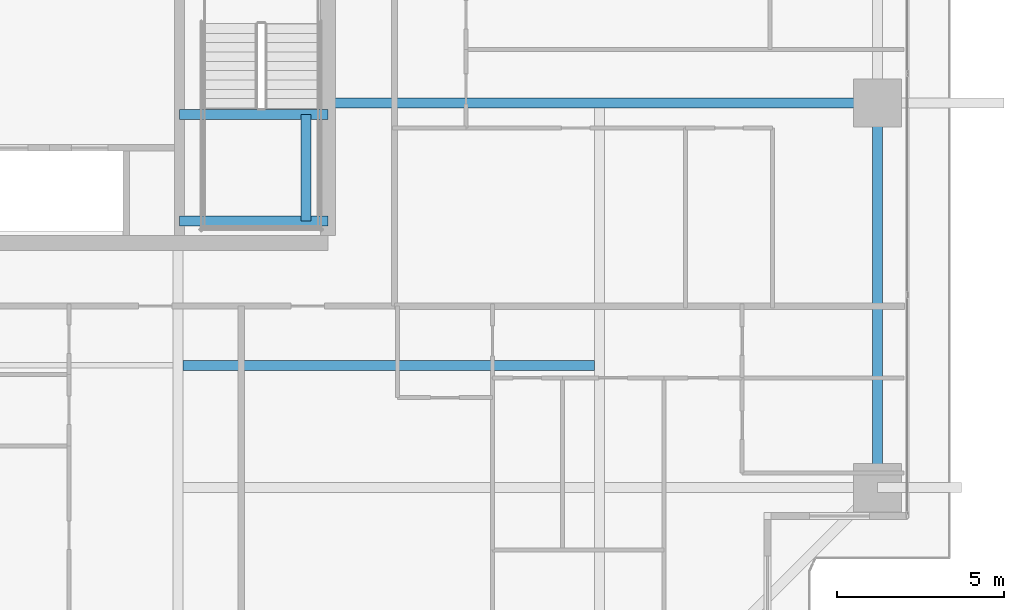
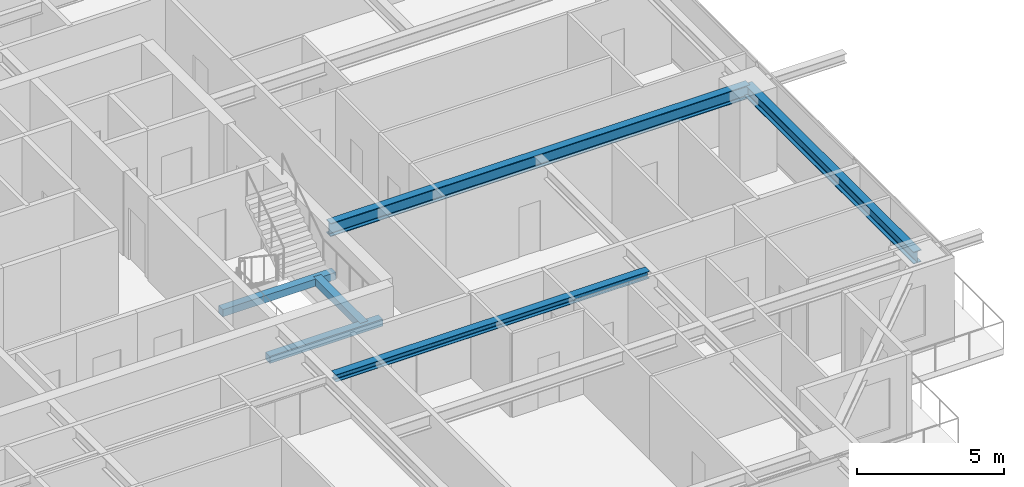
# One storey, part 14 of 41: 6 beams.
"""IFC4 building model written with IfcOpenShell, lengths in metres."""

from ifc_helpers import new_model, si_unit, direction, frame, origin, origin_2d, place, context, subcontext, project, spatial, rectangle, i_section, extrude, source, transform, mapped, material, material_profile, profile_set, type_object, element, save


model = new_model("IFC4")

# Units and contexts
model_context = context("Model", 3, precision=1e-05, world=origin(), true_north=direction((0.0, 1.0)))
body_context = subcontext(model_context, "Body", "Model", "MODEL_VIEW")
ifc_project = project(units=[si_unit("LENGTHUNIT", "METRE"), si_unit("AREAUNIT", "SQUARE_METRE"), si_unit("VOLUMEUNIT", "CUBIC_METRE"), si_unit("PLANEANGLEUNIT", "RADIAN"), si_unit("MASSUNIT", "GRAM", prefix="KILO")], contexts=[model_context])

# Site, building, storey
site_placement = place(None, origin())
site = spatial("IfcSite", under=ifc_project, at=site_placement, CompositionType="ELEMENT")
building_placement = place(site_placement, origin())
building = spatial("IfcBuilding", under=site, at=building_placement, Name="Serunith Strait Residences", CompositionType="ELEMENT")
storey_placement = place(building_placement, frame((0.0, 0.0, 45.449951171875)))
storey = spatial("IfcBuildingStorey", under=building, at=storey_placement, Name="L10", CompositionType="ELEMENT", Elevation=45.449951171875)

# Beams
ifc_material_1 = material(Name="Steel S355J2", Category="steel")
ifc_material_profile_1 = material_profile(ifc_material_1, i_section(OverallWidth=0.300048828125, OverallDepth=0.550048828125, WebThickness=0.014892578125, FlangeThickness=0.029052734375, FilletRadius=0.027099609375, at=origin_2d()), Name="HEB 550")
ifc_profile_set_1 = profile_set([ifc_material_profile_1], Name="Steel S355J2")
beam_type_1 = type_object("IfcBeamType", Name="BM-HEB550", PredefinedType="BEAM", material=ifc_profile_set_1)
shared_shape_1 = source(origin(), body_context, "Body", "SweptSolid", [
    extrude(i_section(OverallWidth=0.300048828125, OverallDepth=0.550048828125, WebThickness=0.014892578125, FlangeThickness=0.029052734375, FilletRadius=0.027099609375, at=origin_2d()), origin(), (0.0, 0.0, 1.0), 16.5),
])
beam_1_placement = place(storey_placement, frame((41.39990234375, 21.0, 3.212158203125), z_axis=(1.0, 0.0, 0.0), x_axis=(0.0, 1.0, 0.0)))
element("IfcBeam", 1, at=beam_1_placement, inside=storey, type_object=beam_type_1, Name="L10 Primary Floor Girder TC-E2", PredefinedType="BEAM", context=body_context, shape_type="MappedRepresentation", body=[
    mapped(shared_shape_1, transform((0.0, 0.0, 0.0), scale=1.0)),
])
ifc_material_profile_2 = material_profile(ifc_material_1, i_section(OverallWidth=0.300048828125, OverallDepth=0.5, WebThickness=0.014404296875, FlangeThickness=0.028076171875, FilletRadius=0.027099609375, at=origin_2d()), Name="HEB 500")
ifc_profile_set_2 = profile_set([ifc_material_profile_2], Name="Steel S355J2")
beam_type_2 = type_object("IfcBeamType", Name="BM-HEB500", PredefinedType="BEAM", material=ifc_profile_set_2)
shared_shape_2 = source(origin(), body_context, "Body", "SweptSolid", [
    extrude(i_section(OverallWidth=0.300048828125, OverallDepth=0.5, WebThickness=0.014404296875, FlangeThickness=0.028076171875, FilletRadius=0.027099609375, at=origin_2d()), origin(), (0.0, 0.0, 1.0), 11.550048828125),
])
beam_2_placement = place(storey_placement, frame((57.89990234375, 9.449951171875, 3.237060546875), z_axis=(0.0, 1.0, 0.0), x_axis=(-1.0, 0.0, 0.0)))
element("IfcBeam", 2, at=beam_2_placement, inside=storey, type_object=beam_type_2, Name="L10 Perimeter Ring Beam 05", PredefinedType="BEAM", context=body_context, shape_type="MappedRepresentation", body=[
    mapped(shared_shape_2, transform((0.0, 0.0, 0.0), scale=1.0)),
])
ifc_material_profile_3 = material_profile(ifc_material_1, i_section(OverallWidth=0.300048828125, OverallDepth=0.300048828125, WebThickness=0.010986328125, FlangeThickness=0.01904296875, FilletRadius=0.027099609375, at=origin_2d()), Name="HEB 300")
ifc_profile_set_3 = profile_set([ifc_material_profile_3], Name="Steel S355J2")
beam_type_3 = type_object("IfcBeamType", Name="BM-HEB300", PredefinedType="JOIST", material=ifc_profile_set_3)
shared_shape_3 = source(origin(), body_context, "Body", "SweptSolid", [
    extrude(i_section(OverallWidth=0.300048828125, OverallDepth=0.300048828125, WebThickness=0.010986328125, FlangeThickness=0.01904296875, FilletRadius=0.027099609375, at=origin_2d()), origin(), (0.0, 0.0, 1.0), 12.349853515625),
])
beam_3_placement = place(storey_placement, frame((37.050048828125, 13.125, 3.337158203125), z_axis=(1.0, 0.0, 0.0), x_axis=(0.0, 1.0, 0.0)))
element("IfcBeam", 3, at=beam_3_placement, inside=storey, type_object=beam_type_3, Name="L10 Composite Floor Joist 03", PredefinedType="JOIST", context=body_context, shape_type="MappedRepresentation", body=[
    mapped(shared_shape_3, transform((0.0, 0.0, 0.0), scale=1.0)),
])
ifc_material_2 = material(Name="Concrete C60/75", Category="concrete")
ifc_material_profile_4 = material_profile(ifc_material_2, rectangle(XDim=0.300048828125, YDim=0.300048828125, at=origin_2d()), Name="RC 300x300")
ifc_profile_set_4 = profile_set([ifc_material_profile_4], Name="Concrete C60/75")
beam_type_4 = type_object("IfcBeamType", Name="BM-LAND-300x300", PredefinedType="BEAM", material=ifc_profile_set_4)
shared_shape_4 = source(origin(), body_context, "Body", "SweptSolid", [
    extrude(rectangle(XDim=0.300048828125, YDim=0.300048828125, at=origin_2d()), origin(), (0.0, 0.0, 1.0), 3.199951171875),
])
beam_4_placement = place(storey_placement, frame((40.75, 17.449951171875, 1.525146484375), z_axis=(0.0, 1.0, 0.0), x_axis=(-1.0, 0.0, 0.0)))
element("IfcBeam", 4, at=beam_4_placement, inside=storey, type_object=beam_type_4, Name="L10 ST-2 Landing Transverse Tie Beam", PredefinedType="BEAM", context=body_context, shape_type="MappedRepresentation", body=[
    mapped(shared_shape_4, transform((0.0, 0.0, 0.0), scale=1.0)),
])
shared_shape_5 = source(origin(), body_context, "Body", "SweptSolid", [
    extrude(rectangle(XDim=0.300048828125, YDim=0.300048828125, at=origin_2d()), origin(), (0.0, 0.0, 1.0), 4.449951171875),
])
for number, where, z_axis, x_axis, name in (
    (5, (36.949951171875, 17.449951171875, 1.525146484375), (1.0, 0.0, 0.0), (0.0, 1.0, 0.0), "L10 ST-2 Landing Support Beam 1"),
    (6, (36.949951171875, 20.64990234375, 1.525146484375), (1.0, 0.0, 0.0), (0.0, 1.0, 0.0), "L10 ST-2 Landing Support Beam 2"),
):
    element("IfcBeam", number, at=place(storey_placement, frame(where, z_axis=z_axis, x_axis=x_axis)), inside=storey, type_object=beam_type_4, Name=name, PredefinedType="BEAM", context=body_context, shape_type="MappedRepresentation", body=[
        mapped(shared_shape_5, transform((0.0, 0.0, 0.0), scale=1.0)),
    ])

save(model, "model.ifc")
